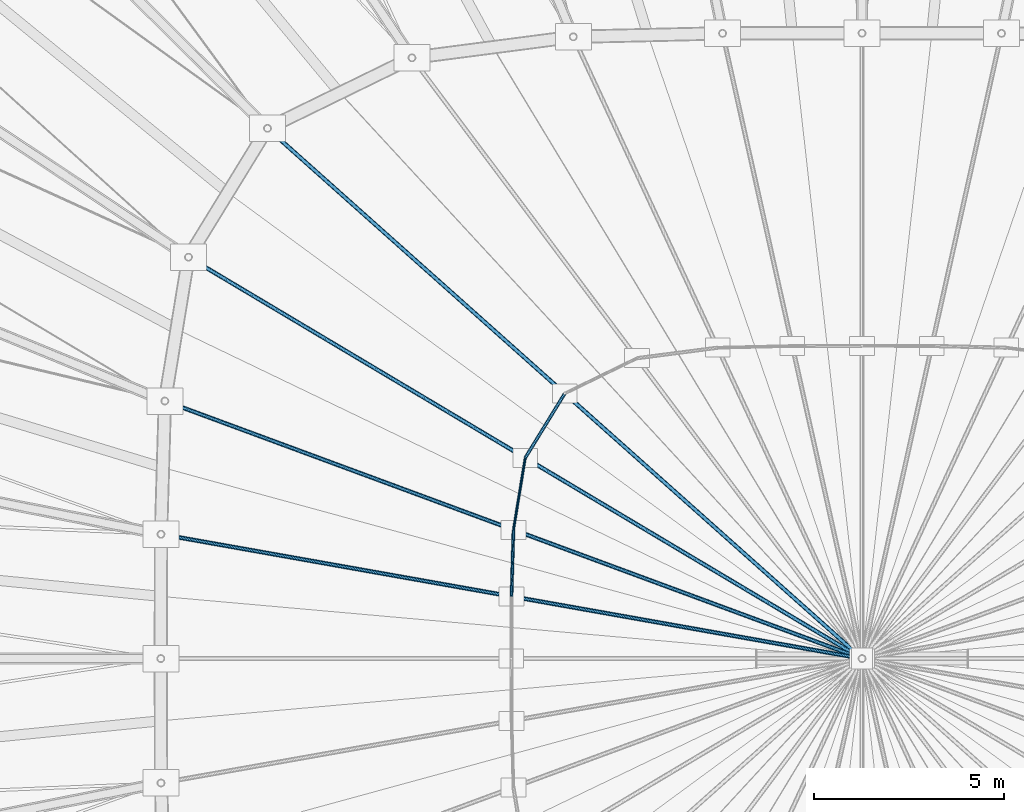
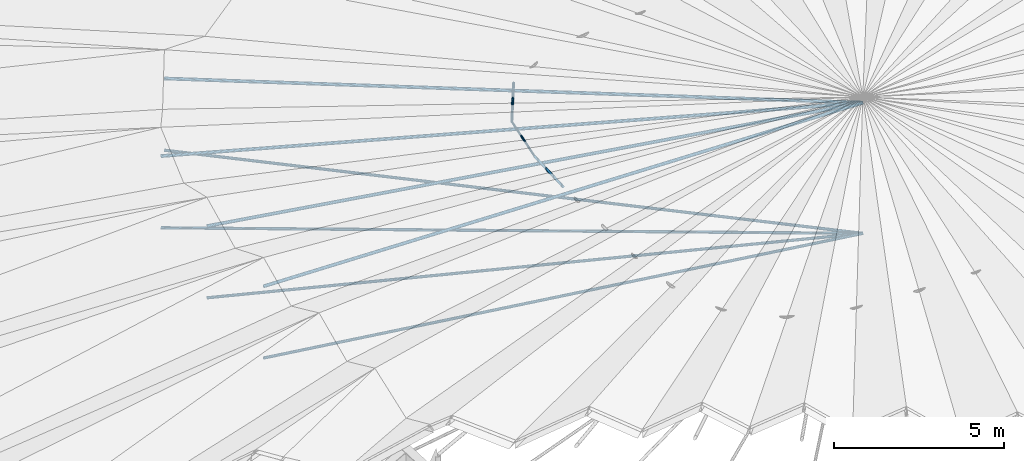
# One storey, part 13 of 41: 11 members.
"""IFC4 building model written with IfcOpenShell, lengths in metres."""

from ifc_helpers import new_model, si_unit, direction, frame, origin, origin_2d, place, context, subcontext, project, spatial, circle, extrude, material, material_profile, profile_set, type_object, element, save


model = new_model("IFC4")

# Units and contexts
model_context = context("Model", 3, precision=1e-05, world=origin(), true_north=direction((0.0, 1.0)))
body_context = subcontext(model_context, "Body", "Model", "MODEL_VIEW")
ifc_project = project(units=[si_unit("LENGTHUNIT", "METRE"), si_unit("AREAUNIT", "SQUARE_METRE"), si_unit("VOLUMEUNIT", "CUBIC_METRE"), si_unit("PLANEANGLEUNIT", "RADIAN"), si_unit("MASSUNIT", "GRAM", prefix="KILO")], contexts=[model_context])

# Site, building, storey
site_placement = place(None, origin())
site = spatial("IfcSite", under=ifc_project, at=site_placement, CompositionType="ELEMENT")
building_placement = place(site_placement, origin())
building = spatial("IfcBuilding", under=site, at=building_placement, Name="Luwafu Chhajja Arena", CompositionType="ELEMENT")
storey_placement = place(building_placement, frame((0.0, 0.0, 29.699951171875)))
storey = spatial("IfcBuildingStorey", under=building, at=storey_placement, Name="RF", CompositionType="ELEMENT", Elevation=29.699951171875)

# Members
ifc_material = material(Name="Steel S460", Category="steel")
ifc_material_profile_1 = material_profile(ifc_material, circle(Radius=0.04248046875, at=origin_2d()), Name="CABLE D85")
ifc_profile_set_1 = profile_set([ifc_material_profile_1], Name="Steel S460")
member_type_1 = type_object("IfcMemberType", Name="Oculus Hoop Tie Cable D85", PredefinedType="USERDEFINED", material=ifc_profile_set_1)
member_1_placement = place(storey_placement, frame((91.1572265625, 56.494873046875, 8.02001953125), z_axis=(-0.522969721503, -0.852351259981, 0.0), x_axis=(0.852351259981, -0.522969721503, 0.0)))
element("IfcMember", 1, at=member_1_placement, inside=storey, type_object=member_type_1, Name="Cable net hoop cable CBH-13", ObjectType="CABLE", PredefinedType="USERDEFINED", context=body_context, shape_type="SweptSolid", body=[
    extrude(circle(Radius=0.04248046875, at=origin_2d()), origin(), (0.0, 0.0, 1.0), 1.993896484375),
])
member_2_placement = place(storey_placement, frame((89.8037109375, 52.8974609375, 8.02001953125), z_axis=(-0.029170460649, -0.999574451567, 0.0), x_axis=(0.999574451567, -0.029170460649, 0.0)))
element("IfcMember", 2, at=member_2_placement, inside=storey, type_object=member_type_1, Name="Cable net hoop cable CBH-15", ObjectType="CABLE", PredefinedType="USERDEFINED", context=body_context, shape_type="SweptSolid", body=[
    extrude(circle(Radius=0.04248046875, at=origin_2d()), origin(), (0.0, 0.0, 1.0), 1.757568359375),
])
ifc_material_profile_2 = material_profile(ifc_material, circle(Radius=0.054931640625, at=origin_2d()), Name="CABLE D110")
ifc_profile_set_2 = profile_set([ifc_material_profile_2], Name="Steel S460")
member_type_2 = type_object("IfcMemberType", Name="Oculus Radial Main Cable D110", PredefinedType="USERDEFINED", material=ifc_profile_set_2)
member_3_placement = place(storey_placement, frame((83.314453125, 63.48974609375, 6.679931640625), z_axis=(0.742528858031, -0.662252344398, 0.100362977885), x_axis=(0.665613098431, 0.746296993962, 0.0)))
element("IfcMember", 3, at=member_3_placement, inside=storey, type_object=member_type_2, Name="Cable net main cable CBM-13", ObjectType="CABLE", PredefinedType="USERDEFINED", context=body_context, shape_type="SweptSolid", body=[
    extrude(circle(Radius=0.054931640625, at=origin_2d()), origin(), (0.0, 0.0, 1.0), 21.12451171875),
])
member_4_placement = place(storey_placement, frame((81.228759765625, 60.090576171875, 6.679931640625), z_axis=(0.854552305173, -0.509261096098, 0.101948485639), x_axis=(0.511928407215, 0.859028117052, 0.0)))
element("IfcMember", 4, at=member_4_placement, inside=storey, type_object=member_type_2, Name="Cable net main cable CBM-14", ObjectType="CABLE", PredefinedType="USERDEFINED", context=body_context, shape_type="SweptSolid", body=[
    extrude(circle(Radius=0.054931640625, at=origin_2d()), origin(), (0.0, 0.0, 1.0), 20.7958984375),
])
member_5_placement = place(storey_placement, frame((80.607177734375, 56.294921875, 6.679931640625), z_axis=(0.932598933948, -0.344533144798, 0.107499490853), x_axis=(0.346541303298, 0.938034714234, 0.0)))
element("IfcMember", 5, at=member_5_placement, inside=storey, type_object=member_type_2, Name="Cable net main cable CBM-15", ObjectType="CABLE", PredefinedType="USERDEFINED", context=body_context, shape_type="SweptSolid", body=[
    extrude(circle(Radius=0.054931640625, at=origin_2d()), origin(), (0.0, 0.0, 1.0), 19.72216796875),
])
member_6_placement = place(storey_placement, frame((80.5048828125, 52.78125, 6.679931640625), z_axis=(0.978412125262, -0.173581748819, 0.11215654068), x_axis=(0.174683908095, 0.984624564112, 0.0)))
element("IfcMember", 6, at=member_6_placement, inside=storey, type_object=member_type_2, Name="Cable net main cable CBM-16", ObjectType="CABLE", PredefinedType="USERDEFINED", context=body_context, shape_type="SweptSolid", body=[
    extrude(circle(Radius=0.054931640625, at=origin_2d()), origin(), (0.0, 0.0, 1.0), 18.903076171875),
])
ifc_material_profile_3 = material_profile(ifc_material, circle(Radius=0.047607421875, at=origin_2d()), Name="CABLE D95")
ifc_profile_set_3 = profile_set([ifc_material_profile_3], Name="Steel S460")
member_type_3 = type_object("IfcMemberType", Name="Oculus Radial Stabilizing Cable D95", PredefinedType="USERDEFINED", material=ifc_profile_set_3)
member_7_placement = place(storey_placement, frame((83.314453125, 63.48974609375, 4.10009765625), z_axis=(0.746296993962, -0.665613098431, 0.0), x_axis=(0.665613098431, 0.746296993962, 0.0)))
element("IfcMember", 7, at=member_7_placement, inside=storey, type_object=member_type_3, Name="Cable net radial split stabilizing cable CBS-13", ObjectType="CABLE", PredefinedType="USERDEFINED", context=body_context, shape_type="SweptSolid", body=[
    extrude(circle(Radius=0.047607421875, at=origin_2d()), origin(), (0.0, 0.0, 1.0), 21.017822265625),
])
member_8_placement = place(storey_placement, frame((81.228759765625, 60.090576171875, 4.10009765625), z_axis=(0.859028117052, -0.511928407215, 0.0), x_axis=(0.511928407215, 0.859028117052, 0.0)))
element("IfcMember", 8, at=member_8_placement, inside=storey, type_object=member_type_3, Name="Cable net radial split stabilizing cable CBS-14", ObjectType="CABLE", PredefinedType="USERDEFINED", context=body_context, shape_type="SweptSolid", body=[
    extrude(circle(Radius=0.047607421875, at=origin_2d()), origin(), (0.0, 0.0, 1.0), 20.6875),
])
member_9_placement = place(storey_placement, frame((80.607177734375, 56.294921875, 4.10009765625), z_axis=(0.938034714234, -0.346541303298, 0.0), x_axis=(0.346541303298, 0.938034714234, 0.0)))
element("IfcMember", 9, at=member_9_placement, inside=storey, type_object=member_type_3, Name="Cable net radial split stabilizing cable CBS-15", ObjectType="CABLE", PredefinedType="USERDEFINED", context=body_context, shape_type="SweptSolid", body=[
    extrude(circle(Radius=0.047607421875, at=origin_2d()), origin(), (0.0, 0.0, 1.0), 19.60791015625),
])
member_10_placement = place(storey_placement, frame((80.5048828125, 52.78125, 4.10009765625), z_axis=(0.984624564112, -0.174683908095, 0.0), x_axis=(0.174683908095, 0.984624564112, 0.0)))
element("IfcMember", 10, at=member_10_placement, inside=storey, type_object=member_type_3, Name="Cable net radial split stabilizing cable CBS-16", ObjectType="CABLE", PredefinedType="USERDEFINED", context=body_context, shape_type="SweptSolid", body=[
    extrude(circle(Radius=0.047607421875, at=origin_2d()), origin(), (0.0, 0.0, 1.0), 18.783935546875),
])
ifc_material_profile_4 = material_profile(ifc_material, circle(Radius=0.034912109375, at=origin_2d()), Name="CABLE D70")
ifc_profile_set_4 = profile_set([ifc_material_profile_4], Name="Steel S460")
member_type_4 = type_object("IfcMemberType", Name="Oculus Secondary Tie Cable D70", PredefinedType="USERDEFINED", material=ifc_profile_set_4)
member_11_placement = place(storey_placement, frame((90.114501953125, 54.79541015625, 8.02001953125), z_axis=(-0.161598712618, -0.98685655294, 0.0), x_axis=(0.98685655294, -0.161598712618, 0.0)))
element("IfcMember", 11, at=member_11_placement, inside=storey, type_object=member_type_4, Name="Cable net hoop cable CBH-14", ObjectType="CABLE", PredefinedType="USERDEFINED", context=body_context, shape_type="SweptSolid", body=[
    extrude(circle(Radius=0.034912109375, at=origin_2d()), origin(), (0.0, 0.0, 1.0), 1.92333984375),
])

save(model, "model.ifc")
